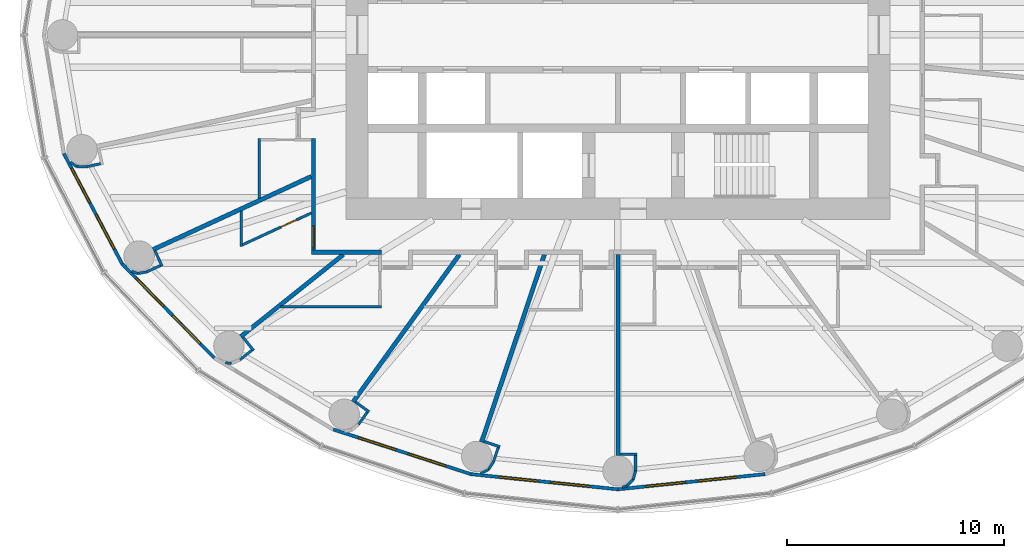
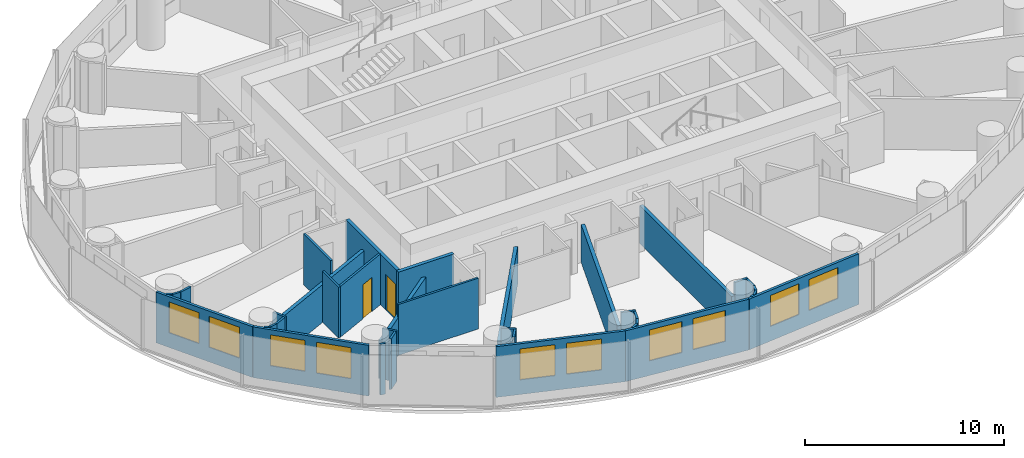
# One storey, part 6 of 14: 37 walls, 10 windows, 2 doors, 12 openings.
"""IFC4 building model written with IfcOpenShell, lengths in metres."""

import ifcopenshell
import ifcopenshell.guid

model = None  # the IFC model being written
_history = None  # IfcOwnerHistory: only IFC2X3 demands one
_inside = {}  # id of a spatial element -> (the spatial element, [elements in it])
_under = {}  # id of a project, library or spatial element -> (it, [spatial elements below it])
_declared = {}  # id of a project -> (the project, [libraries it declares])
_typed = {}  # id of a type object -> (the type object, [elements of that type])
_made_of = {}  # id of a material, layer set ... -> (it, [elements and type objects made of it])


def new_model(schema):
    """Start an empty IFC model of exactly this schema.

    Asked for "IFC4X3", IfcOpenShell would pick the latest addendum, in which some entities
    have other attributes; the version numbers below select the first issue.
    IFC2X3 requires an IfcOwnerHistory on every rooted entity: one is made here for all.
    """
    global model, _history
    if schema == "IFC4X3":
        model = ifcopenshell.file(schema_version=(4, 3, 0, 0))
    else:
        model = ifcopenshell.file(schema=schema)
    _inside.clear()
    _under.clear()
    _declared.clear()
    _typed.clear()
    _made_of.clear()
    _history = None
    if model.schema == "IFC2X3":
        org = make("IfcOrganization", Name="unknown")
        user = make(
            "IfcPersonAndOrganization",
            ThePerson=make("IfcPerson", FamilyName="unknown"),
            TheOrganization=org,
        )
        app = make(
            "IfcApplication",
            ApplicationDeveloper=org,
            Version="unknown",
            ApplicationFullName="unknown",
            ApplicationIdentifier="unknown",
        )
        _history = make(
            "IfcOwnerHistory",
            OwningUser=user,
            OwningApplication=app,
            ChangeAction="ADDED",
            CreationDate=0,
        )
    return model


def make(cls, **values):
    """One entity of the class cls with the attributes given. An attribute that is None is left unset."""
    return model.create_entity(
        cls, **{name: value for name, value in values.items() if value is not None}
    )


def rooted(cls, **values):
    """An entity with a GlobalId (a new one), such as an element, a storey or a relation."""
    return make(cls, GlobalId=ifcopenshell.guid.new(), OwnerHistory=_history, **values)


def si_unit(unit_type, name, prefix=None):
    """IfcSIUnit, for example si_unit("LENGTHUNIT", "METRE", prefix="MILLI")."""
    return make("IfcSIUnit", UnitType=unit_type, Prefix=prefix, Name=name)


def assignment(units):
    """IfcUnitAssignment: the units of a project."""
    return None if units is None else make("IfcUnitAssignment", Units=units)


def point(xyz):
    """IfcCartesianPoint."""
    return None if xyz is None else make("IfcCartesianPoint", Coordinates=xyz)


def direction(xyz):
    """IfcDirection."""
    return None if xyz is None else make("IfcDirection", DirectionRatios=xyz)


def frame(location, z_axis=None, x_axis=None):
    """IfcAxis2Placement3D, a coordinate frame: its origin and axes. An axis left out is left unset."""
    return make(
        "IfcAxis2Placement3D",
        Location=point(location),
        Axis=direction(z_axis),
        RefDirection=direction(x_axis),
    )


def frame_2d(location, x_axis=None):
    """IfcAxis2Placement2D, a coordinate frame in the plane: its origin and x axis."""
    return make(
        "IfcAxis2Placement2D", Location=point(location), RefDirection=direction(x_axis)
    )


def origin():
    """The frame at (0, 0, 0) with its axes left unset."""
    return frame((0.0, 0.0, 0.0))


def place(relative_to, where):
    """IfcLocalPlacement: puts the frame where relative to a parent placement (None: the world)."""
    return make(
        "IfcLocalPlacement", PlacementRelTo=relative_to, RelativePlacement=where
    )


def context(
    kind, dimensions, precision=None, world=None, true_north=None, identifier=None
):
    """IfcGeometricRepresentationContext, for example the 3D "Model" context."""
    return make(
        "IfcGeometricRepresentationContext",
        ContextIdentifier=identifier,
        ContextType=kind,
        CoordinateSpaceDimension=dimensions,
        Precision=precision,
        WorldCoordinateSystem=world,
        TrueNorth=true_north,
    )


def subcontext(parent, identifier, kind, view, scale=None):
    """IfcGeometricRepresentationSubContext, for example "Body" below "Model"."""
    return make(
        "IfcGeometricRepresentationSubContext",
        ContextIdentifier=identifier,
        ContextType=kind,
        ParentContext=parent,
        TargetScale=scale,
        TargetView=view,
    )


def project(units=None, contexts=None):
    """IfcProject with its units and contexts."""
    return rooted(
        "IfcProject",
        Name="project",
        RepresentationContexts=contexts,
        UnitsInContext=assignment(units),
    )


def spatial(cls, under=None, at=None, **own):
    """A site, building, storey or space (cls), placed at a placement, below another one or the project."""
    s = rooted(cls, ObjectPlacement=at, **own)
    if under is not None:
        _under.setdefault(under.id(), (under, []))[1].append(s)
    return s


def profile(cls, at=None, kind="AREA", **sizes):
    """A parametric profile (cls). Its sizes go by their IFC names, for example OverallWidth=200.0."""
    return make(cls, ProfileType=kind, Position=at, **sizes)


def rectangle(**sizes):
    """IfcRectangleProfileDef."""
    return profile("IfcRectangleProfileDef", **sizes)


def extrude(swept, where, along, depth):
    """IfcExtrudedAreaSolid: the profile swept, set in the frame where, extruded along a direction by depth."""
    return make(
        "IfcExtrudedAreaSolid",
        SweptArea=swept,
        Position=where,
        ExtrudedDirection=direction(along),
        Depth=depth,
    )


def shape(context_of_items, identifier, shape_type, items):
    """IfcShapeRepresentation: the items that make up one representation, for example the "Body"."""
    return make(
        "IfcShapeRepresentation",
        ContextOfItems=context_of_items,
        RepresentationIdentifier=identifier,
        RepresentationType=shape_type,
        Items=items,
    )


def material(Name=None, Category=None):
    """IfcMaterial."""
    return make("IfcMaterial", Name=Name, Category=Category)


def layer(
    of_material, thickness, ventilated=None, Name=None, Category=None, Priority=None
):
    """IfcMaterialLayer: one layer of a wall or slab, of a material (None: an air gap)."""
    return make(
        "IfcMaterialLayer",
        Material=of_material,
        LayerThickness=thickness,
        IsVentilated=ventilated,
        Name=Name,
        Category=Category,
        Priority=Priority,
    )


def layer_set(layers, Name=None):
    """IfcMaterialLayerSet."""
    return make("IfcMaterialLayerSet", MaterialLayers=layers, LayerSetName=Name)


def made_of(thing, what):
    """Note that an element or type object is made of a material, layer set ...; save() writes the relation."""
    if what is not None:
        _made_of.setdefault(what.id(), (what, []))[1].append(thing)
    return thing


def type_object(cls, material=None, **own):
    """A type object (cls), such as IfcWallType, which elements share."""
    return made_of(rooted(cls, **own), material)


def element(
    cls,
    number,
    at=None,
    inside=None,
    cuts=None,
    type_object=None,
    material=None,
    context=None,
    identifier="Body",
    shape_type=None,
    held_by="IfcProductDefinitionShape",
    body=None,
    shapes=None,
    **own,
):
    """One element of the class cls, such as IfcWall. Its Tag is "e" and its number.

    at: its placement. inside: the storey or other place that contains it. cuts: it is an
    opening in that element (IfcRelVoidsElement). A single representation is given by context,
    identifier, shape_type and body (its items); several are given by shapes. held_by: the class
    of the entity that holds the representations. save() writes the other relations.
    """
    e = rooted(cls, Tag="e%d" % number, ObjectPlacement=at, **own)
    if body is not None:
        shapes = [shape(context, identifier, shape_type, body)]
    if shapes is not None:
        e.Representation = make(held_by, Representations=shapes)
    if inside is not None:
        _inside.setdefault(inside.id(), (inside, []))[1].append(e)
    if cuts is not None:
        rooted(
            "IfcRelVoidsElement", RelatingBuildingElement=cuts, RelatedOpeningElement=e
        )
    if type_object is not None:
        _typed.setdefault(type_object.id(), (type_object, []))[1].append(e)
    return made_of(e, material)


def fill(opening, filler):
    """IfcRelFillsElement: the door or window that sits in an opening."""
    return rooted(
        "IfcRelFillsElement",
        RelatingOpeningElement=opening,
        RelatedBuildingElement=filler,
    )


def aggregate(whole, parts):
    """IfcRelAggregates: a whole, such as a stair, and the parts it consists of."""
    return rooted("IfcRelAggregates", RelatingObject=whole, RelatedObjects=parts)


def save(model, path):
    """Write the relations noted so far, then the file.

    IfcRelAggregates (storeys below a building ...), IfcRelContainedInSpatialStructure (elements
    in a storey), IfcRelDefinesByType, IfcRelAssociatesMaterial and IfcRelDeclares: one each for
    every whole, place, type object, material and project.
    """
    for whole, parts in _under.values():
        aggregate(whole, parts)
    for where, things in _inside.values():
        rooted(
            "IfcRelContainedInSpatialStructure",
            RelatedElements=things,
            RelatingStructure=where,
        )
    for kind, things in _typed.values():
        rooted("IfcRelDefinesByType", RelatedObjects=things, RelatingType=kind)
    for what, things in _made_of.values():
        rooted("IfcRelAssociatesMaterial", RelatedObjects=things, RelatingMaterial=what)
    for by, libraries in _declared.values():
        rooted("IfcRelDeclares", RelatingContext=by, RelatedDefinitions=libraries)
    model.write(path)


model = new_model("IFC4")

# Units and contexts
model_context = context("Model", 3, precision=1e-05, world=origin(), true_north=direction((0.0, 1.0)))
body_context = subcontext(model_context, "Body", "Model", "MODEL_VIEW")
ifc_project = project(units=[si_unit("LENGTHUNIT", "METRE"), si_unit("AREAUNIT", "SQUARE_METRE"), si_unit("VOLUMEUNIT", "CUBIC_METRE"), si_unit("PLANEANGLEUNIT", "RADIAN"), si_unit("MASSUNIT", "GRAM", prefix="KILO")], contexts=[model_context])

# Site, building, storey
site_placement = place(None, origin())
site = spatial("IfcSite", under=ifc_project, at=site_placement, CompositionType="ELEMENT")
building_placement = place(site_placement, origin())
building = spatial("IfcBuilding", under=site, at=building_placement, Name="Hankou Lantern Tower", CompositionType="ELEMENT")
storey_placement = place(building_placement, frame((0.0, 0.0, 57.300048828125)))
storey = spatial("IfcBuildingStorey", under=building, at=storey_placement, Name="L13", CompositionType="ELEMENT", Elevation=57.300048828125)

# Wall, openings, windows
ifc_material_1 = material(Name="Aluminium spandrel panel on steel studs", Category="steel")
ifc_layer_1 = layer(ifc_material_1, 0.14990234375)
ifc_layer_set_1 = layer_set([ifc_layer_1], Name="Aluminium spandrel panel on steel studs")
wall_type_1 = type_object("IfcWallType", Name="EW1 INNER SKIN WALL 150", PredefinedType="ELEMENTEDWALL", material=ifc_layer_set_1)
wall_1_placement = place(storey_placement, frame((-25.482421875, -5.46240234375, 0.0), z_axis=(0.0, 0.0, 1.0), x_axis=(0.467296867008, -0.884100468321, 0.0)))
wall_1 = element("IfcWall", 1, at=wall_1_placement, inside=storey, type_object=wall_type_1, Name="Inner skin R14-R15 L13", PredefinedType="ELEMENTEDWALL", context=body_context, shape_type="SweptSolid", body=[
    extrude(rectangle(XDim=5.734375, YDim=0.14990234375, at=frame_2d((2.8671875, 0.0))), origin(), (0.0, 0.0, 1.0), 3.119873046875),
])
opening_1_placement = place(wall_1_placement, frame((0.76708984375, 0.0, 0.89990234375)))
opening_1 = element("IfcOpeningElement", 2, at=opening_1_placement, cuts=wall_1, Name="Opening W1", PredefinedType="OPENING", context=body_context, shape_type="SweptSolid", body=[
    extrude(rectangle(XDim=1.800048828125, YDim=1.89990234375, at=frame_2d((0.89990234375, 0.949951171875))), frame((0.0, 0.0849609375, 0.0), z_axis=(0.0, -1.0, 0.0), x_axis=(1.0, 0.0, 0.0)), (0.0, 0.0, 1.0), 0.169921875),
])
opening_2_placement = place(wall_1_placement, frame((3.167236328125, 0.0, 0.89990234375)))
opening_2 = element("IfcOpeningElement", 3, at=opening_2_placement, cuts=wall_1, Name="Opening W1", PredefinedType="OPENING", context=body_context, shape_type="SweptSolid", body=[
    extrude(rectangle(XDim=1.800048828125, YDim=1.89990234375, at=frame_2d((0.89990234375, 0.949951171875))), frame((0.0, 0.0849609375, 0.0), z_axis=(0.0, -1.0, 0.0), x_axis=(1.0, 0.0, 0.0)), (0.0, 0.0, 1.0), 0.169921875),
])
ifc_material_2 = material(Name="Aluminium framed double glazed window", Category="aluminium")
window_type = type_object("IfcWindowType", Name="W1 GUEST ROOM WINDOW 1800X1900", PartitioningType="DOUBLE_PANEL_VERTICAL", PredefinedType="WINDOW", material=ifc_material_2)
window_1_placement = place(opening_1_placement, origin())
window_1 = element("IfcWindow", 4, at=window_1_placement, inside=storey, type_object=window_type, Name="Window R14.1 L13", OverallHeight=1.89990234375, OverallWidth=1.800048828125, PartitioningType="SINGLE_PANEL", PredefinedType="WINDOW", context=body_context, shape_type="SweptSolid", body=[
    extrude(rectangle(XDim=1.800048828125, YDim=1.89990234375, at=frame_2d((0.89990234375, 0.949951171875))), frame((0.0, 0.030029296875, 0.0), z_axis=(0.0, -1.0, 0.0), x_axis=(1.0, 0.0, 0.0)), (0.0, 0.0, 1.0), 0.06005859375),
])
fill(opening_1, window_1)
window_2_placement = place(opening_2_placement, origin())
window_2 = element("IfcWindow", 5, at=window_2_placement, inside=storey, type_object=window_type, Name="Window R14.2 L13", OverallHeight=1.89990234375, OverallWidth=1.800048828125, PartitioningType="SINGLE_PANEL", PredefinedType="WINDOW", context=body_context, shape_type="SweptSolid", body=[
    extrude(rectangle(XDim=1.800048828125, YDim=1.89990234375, at=frame_2d((0.89990234375, 0.949951171875))), frame((0.0, 0.030029296875, 0.0), z_axis=(0.0, -1.0, 0.0), x_axis=(1.0, 0.0, 0.0)), (0.0, 0.0, 1.0), 0.06005859375),
])
fill(opening_2, window_2)

wall_2_placement = place(storey_placement, frame((-22.802734375, -10.5322265625, 0.0), z_axis=(0.0, 0.0, 1.0), x_axis=(0.699602905915, -0.714531856557, 0.0)))
wall_2 = element("IfcWall", 6, at=wall_2_placement, inside=storey, type_object=wall_type_1, Name="Inner skin R15-R16 L13", PredefinedType="ELEMENTEDWALL", context=body_context, shape_type="SweptSolid", body=[
    extrude(rectangle(XDim=6.05078125, YDim=0.14990234375, at=frame_2d((3.025390625, 0.0))), origin(), (0.0, 0.0, 1.0), 3.119873046875),
])
opening_3_placement = place(wall_2_placement, frame((0.925537109375, 0.0, 0.89990234375)))
opening_3 = element("IfcOpeningElement", 7, at=opening_3_placement, cuts=wall_2, Name="Opening W1", PredefinedType="OPENING", context=body_context, shape_type="SweptSolid", body=[
    extrude(rectangle(XDim=1.800048828125, YDim=1.89990234375, at=frame_2d((0.89990234375, 0.949951171875))), frame((0.0, 0.0849609375, 0.0), z_axis=(0.0, -1.0, 0.0), x_axis=(1.0, 0.0, 0.0)), (0.0, 0.0, 1.0), 0.169921875),
])
opening_4_placement = place(wall_2_placement, frame((3.325439453125, 0.0, 0.89990234375)))
opening_4 = element("IfcOpeningElement", 8, at=opening_4_placement, cuts=wall_2, Name="Opening W1", PredefinedType="OPENING", context=body_context, shape_type="SweptSolid", body=[
    extrude(rectangle(XDim=1.800048828125, YDim=1.89990234375, at=frame_2d((0.89990234375, 0.949951171875))), frame((0.0, 0.0849609375, 0.0), z_axis=(0.0, -1.0, 0.0), x_axis=(1.0, 0.0, 0.0)), (0.0, 0.0, 1.0), 0.169921875),
])
window_3_placement = place(opening_3_placement, origin())
window_3 = element("IfcWindow", 9, at=window_3_placement, inside=storey, type_object=window_type, Name="Window R15.1 L13", OverallHeight=1.89990234375, OverallWidth=1.800048828125, PartitioningType="SINGLE_PANEL", PredefinedType="WINDOW", context=body_context, shape_type="SweptSolid", body=[
    extrude(rectangle(XDim=1.800048828125, YDim=1.89990234375, at=frame_2d((0.89990234375, 0.949951171875))), frame((0.0, 0.030029296875, 0.0), z_axis=(0.0, -1.0, 0.0), x_axis=(1.0, 0.0, 0.0)), (0.0, 0.0, 1.0), 0.06005859375),
])
fill(opening_3, window_3)
window_4_placement = place(opening_4_placement, origin())
window_4 = element("IfcWindow", 10, at=window_4_placement, inside=storey, type_object=window_type, Name="Window R15.2 L13", OverallHeight=1.89990234375, OverallWidth=1.800048828125, PartitioningType="SINGLE_PANEL", PredefinedType="WINDOW", context=body_context, shape_type="SweptSolid", body=[
    extrude(rectangle(XDim=1.800048828125, YDim=1.89990234375, at=frame_2d((0.89990234375, 0.949951171875))), frame((0.0, 0.030029296875, 0.0), z_axis=(0.0, -1.0, 0.0), x_axis=(1.0, 0.0, 0.0)), (0.0, 0.0, 1.0), 0.06005859375),
])
fill(opening_4, window_4)

wall_3_placement = place(storey_placement, frame((-13.096435546875, -18.14697265625, 0.0), z_axis=(0.0, 0.0, 1.0), x_axis=(0.951137534625, -0.308767534285, 0.0)))
wall_3 = element("IfcWall", 11, at=wall_3_placement, inside=storey, type_object=wall_type_1, Name="Inner skin R17-R18 L13", PredefinedType="ELEMENTEDWALL", context=body_context, shape_type="SweptSolid", body=[
    extrude(rectangle(XDim=6.6552734375, YDim=0.14990234375, at=frame_2d((3.32763671875, 0.0))), origin(), (0.0, 0.0, 1.0), 3.119873046875),
])
opening_5_placement = place(wall_3_placement, frame((1.2275390625, 0.0, 0.89990234375)))
opening_5 = element("IfcOpeningElement", 12, at=opening_5_placement, cuts=wall_3, Name="Opening W1", PredefinedType="OPENING", context=body_context, shape_type="SweptSolid", body=[
    extrude(rectangle(XDim=1.800048828125, YDim=1.89990234375, at=frame_2d((0.89990234375, 0.949951171875))), frame((0.0, 0.0849609375, 0.0), z_axis=(0.0, -1.0, 0.0), x_axis=(1.0, 0.0, 0.0)), (0.0, 0.0, 1.0), 0.169921875),
])
opening_6_placement = place(wall_3_placement, frame((3.627685546875, 0.0, 0.89990234375)))
opening_6 = element("IfcOpeningElement", 13, at=opening_6_placement, cuts=wall_3, Name="Opening W1", PredefinedType="OPENING", context=body_context, shape_type="SweptSolid", body=[
    extrude(rectangle(XDim=1.800048828125, YDim=1.89990234375, at=frame_2d((0.89990234375, 0.949951171875))), frame((0.0, 0.0849609375, 0.0), z_axis=(0.0, -1.0, 0.0), x_axis=(1.0, 0.0, 0.0)), (0.0, 0.0, 1.0), 0.169921875),
])
window_5_placement = place(opening_5_placement, origin())
window_5 = element("IfcWindow", 14, at=window_5_placement, inside=storey, type_object=window_type, Name="Window R17.1 L13", OverallHeight=1.89990234375, OverallWidth=1.800048828125, PartitioningType="SINGLE_PANEL", PredefinedType="WINDOW", context=body_context, shape_type="SweptSolid", body=[
    extrude(rectangle(XDim=1.800048828125, YDim=1.89990234375, at=frame_2d((0.89990234375, 0.949951171875))), frame((0.0, 0.030029296875, 0.0), z_axis=(0.0, -1.0, 0.0), x_axis=(1.0, 0.0, 0.0)), (0.0, 0.0, 1.0), 0.06005859375),
])
fill(opening_5, window_5)
window_6_placement = place(opening_6_placement, origin())
window_6 = element("IfcWindow", 15, at=window_6_placement, inside=storey, type_object=window_type, Name="Window R17.2 L13", OverallHeight=1.89990234375, OverallWidth=1.800048828125, PartitioningType="SINGLE_PANEL", PredefinedType="WINDOW", context=body_context, shape_type="SweptSolid", body=[
    extrude(rectangle(XDim=1.800048828125, YDim=1.89990234375, at=frame_2d((0.89990234375, 0.949951171875))), frame((0.0, 0.030029296875, 0.0), z_axis=(0.0, -1.0, 0.0), x_axis=(1.0, 0.0, 0.0)), (0.0, 0.0, 1.0), 0.06005859375),
])
fill(opening_6, window_6)

wall_4_placement = place(storey_placement, frame((-6.766357421875, -20.201904296875, 0.0), z_axis=(0.0, 0.0, 1.0), x_axis=(0.994721394369, -0.102612609291, 0.0)))
wall_4 = element("IfcWall", 16, at=wall_4_placement, inside=storey, type_object=wall_type_1, Name="Inner skin R18-R19 L13", PredefinedType="ELEMENTEDWALL", context=body_context, shape_type="SweptSolid", body=[
    extrude(rectangle(XDim=6.80224609375, YDim=0.14990234375, at=frame_2d((3.401123046875, 0.0))), origin(), (0.0, 0.0, 1.0), 3.119873046875),
])
opening_7_placement = place(wall_4_placement, frame((1.301025390625, 0.0, 0.89990234375)))
opening_7 = element("IfcOpeningElement", 17, at=opening_7_placement, cuts=wall_4, Name="Opening W1", PredefinedType="OPENING", context=body_context, shape_type="SweptSolid", body=[
    extrude(rectangle(XDim=1.800048828125, YDim=1.89990234375, at=frame_2d((0.89990234375, 0.949951171875))), frame((0.0, 0.0849609375, 0.0), z_axis=(0.0, -1.0, 0.0), x_axis=(1.0, 0.0, 0.0)), (0.0, 0.0, 1.0), 0.169921875),
])
opening_8_placement = place(wall_4_placement, frame((3.701171875, 0.0, 0.89990234375)))
opening_8 = element("IfcOpeningElement", 18, at=opening_8_placement, cuts=wall_4, Name="Opening W1", PredefinedType="OPENING", context=body_context, shape_type="SweptSolid", body=[
    extrude(rectangle(XDim=1.800048828125, YDim=1.89990234375, at=frame_2d((0.89990234375, 0.949951171875))), frame((0.0, 0.0849609375, 0.0), z_axis=(0.0, -1.0, 0.0), x_axis=(1.0, 0.0, 0.0)), (0.0, 0.0, 1.0), 0.169921875),
])
window_7_placement = place(opening_7_placement, origin())
window_7 = element("IfcWindow", 19, at=window_7_placement, inside=storey, type_object=window_type, Name="Window R18.1 L13", OverallHeight=1.89990234375, OverallWidth=1.800048828125, PartitioningType="SINGLE_PANEL", PredefinedType="WINDOW", context=body_context, shape_type="SweptSolid", body=[
    extrude(rectangle(XDim=1.800048828125, YDim=1.89990234375, at=frame_2d((0.89990234375, 0.949951171875))), frame((0.0, 0.030029296875, 0.0), z_axis=(0.0, -1.0, 0.0), x_axis=(1.0, 0.0, 0.0)), (0.0, 0.0, 1.0), 0.06005859375),
])
fill(opening_7, window_7)
window_8_placement = place(opening_8_placement, origin())
window_8 = element("IfcWindow", 20, at=window_8_placement, inside=storey, type_object=window_type, Name="Window R18.2 L13", OverallHeight=1.89990234375, OverallWidth=1.800048828125, PartitioningType="SINGLE_PANEL", PredefinedType="WINDOW", context=body_context, shape_type="SweptSolid", body=[
    extrude(rectangle(XDim=1.800048828125, YDim=1.89990234375, at=frame_2d((0.89990234375, 0.949951171875))), frame((0.0, 0.030029296875, 0.0), z_axis=(0.0, -1.0, 0.0), x_axis=(1.0, 0.0, 0.0)), (0.0, 0.0, 1.0), 0.06005859375),
])
fill(opening_8, window_8)

wall_5_placement = place(storey_placement, frame((0.0, -20.89990234375, 0.0), z_axis=(0.0, 0.0, 1.0), x_axis=(0.994721394369, 0.102612609291, 0.0)))
wall_5 = element("IfcWall", 21, at=wall_5_placement, inside=storey, type_object=wall_type_1, Name="Inner skin R19-R20 L13", PredefinedType="ELEMENTEDWALL", context=body_context, shape_type="SweptSolid", body=[
    extrude(rectangle(XDim=6.80224609375, YDim=0.14990234375, at=frame_2d((3.401123046875, 0.0))), origin(), (0.0, 0.0, 1.0), 3.119873046875),
])
opening_9_placement = place(wall_5_placement, frame((1.301025390625, 0.0, 0.89990234375)))
opening_9 = element("IfcOpeningElement", 22, at=opening_9_placement, cuts=wall_5, Name="Opening W1", PredefinedType="OPENING", context=body_context, shape_type="SweptSolid", body=[
    extrude(rectangle(XDim=1.800048828125, YDim=1.89990234375, at=frame_2d((0.89990234375, 0.949951171875))), frame((0.0, 0.0849609375, 0.0), z_axis=(0.0, -1.0, 0.0), x_axis=(1.0, 0.0, 0.0)), (0.0, 0.0, 1.0), 0.169921875),
])
opening_10_placement = place(wall_5_placement, frame((3.701171875, 0.0, 0.89990234375)))
opening_10 = element("IfcOpeningElement", 23, at=opening_10_placement, cuts=wall_5, Name="Opening W1", PredefinedType="OPENING", context=body_context, shape_type="SweptSolid", body=[
    extrude(rectangle(XDim=1.800048828125, YDim=1.89990234375, at=frame_2d((0.89990234375, 0.949951171875))), frame((0.0, 0.0849609375, 0.0), z_axis=(0.0, -1.0, 0.0), x_axis=(1.0, 0.0, 0.0)), (0.0, 0.0, 1.0), 0.169921875),
])
window_9_placement = place(opening_9_placement, origin())
window_9 = element("IfcWindow", 24, at=window_9_placement, inside=storey, type_object=window_type, Name="Window R19.1 L13", OverallHeight=1.89990234375, OverallWidth=1.800048828125, PartitioningType="SINGLE_PANEL", PredefinedType="WINDOW", context=body_context, shape_type="SweptSolid", body=[
    extrude(rectangle(XDim=1.800048828125, YDim=1.89990234375, at=frame_2d((0.89990234375, 0.949951171875))), frame((0.0, 0.030029296875, 0.0), z_axis=(0.0, -1.0, 0.0), x_axis=(1.0, 0.0, 0.0)), (0.0, 0.0, 1.0), 0.06005859375),
])
fill(opening_9, window_9)
window_10_placement = place(opening_10_placement, origin())
window_10 = element("IfcWindow", 25, at=window_10_placement, inside=storey, type_object=window_type, Name="Window R19.2 L13", OverallHeight=1.89990234375, OverallWidth=1.800048828125, PartitioningType="SINGLE_PANEL", PredefinedType="WINDOW", context=body_context, shape_type="SweptSolid", body=[
    extrude(rectangle(XDim=1.800048828125, YDim=1.89990234375, at=frame_2d((0.89990234375, 0.949951171875))), frame((0.0, 0.030029296875, 0.0), z_axis=(0.0, -1.0, 0.0), x_axis=(1.0, 0.0, 0.0)), (0.0, 0.0, 1.0), 0.06005859375),
])
fill(opening_10, window_10)

# Walls
ifc_material_3 = material(Name="Masonry lightweight concrete block", Category="masonry")
ifc_layer_2 = layer(ifc_material_3, 0.199951171875)
ifc_layer_set_2 = layer_set([ifc_layer_2], Name="Masonry lightweight concrete block")
wall_type_2 = type_object("IfcWallType", Name="IW1 GUEST ROOM PARTY WALL 200", PredefinedType="PARTITIONING", material=ifc_layer_set_2)
wall_6_placement = place(storey_placement, frame((-14.10009765625, -6.512451171875, 0.0), z_axis=(0.0, 0.0, 1.0), x_axis=(-0.907832871056, -0.419332181247, 0.0)))
element("IfcWall", 26, at=wall_6_placement, inside=storey, type_object=wall_type_2, Name="Party wall R15", PredefinedType="PARTITIONING", context=body_context, shape_type="SweptSolid", body=[
    extrude(rectangle(XDim=8.02294921875, YDim=0.199951171875, at=frame_2d((4.011474609375, 0.0))), origin(), (0.0, 0.0, 1.0), 2.320068359375),
])
wall_7_placement = place(storey_placement, frame((-12.625, -10.10009765625, 0.0), z_axis=(0.0, 0.0, 1.0), x_axis=(-0.780892451574, -0.624665493744, 0.0)))
element("IfcWall", 27, at=wall_7_placement, inside=storey, type_object=wall_type_2, Name="Party wall R16", PredefinedType="PARTITIONING", context=body_context, shape_type="SweptSolid", body=[
    extrude(rectangle(XDim=6.044677734375, YDim=0.199951171875, at=frame_2d((3.0224609375, 0.0))), origin(), (0.0, 0.0, 1.0), 2.320068359375),
])
wall_8_placement = place(storey_placement, frame((-7.2890625, -10.10009765625, 0.0), z_axis=(0.0, 0.0, 1.0), x_axis=(-0.585198353053, -0.810890182197, 0.0)))
element("IfcWall", 28, at=wall_8_placement, inside=storey, type_object=wall_type_2, Name="Party wall R17", PredefinedType="PARTITIONING", context=body_context, shape_type="SweptSolid", body=[
    extrude(rectangle(XDim=8.359619140625, YDim=0.199951171875, at=frame_2d((4.1796875, 0.0))), origin(), (0.0, 0.0, 1.0), 2.320068359375),
])
wall_9_placement = place(storey_placement, frame((-3.3828125, -10.10009765625, 0.0), z_axis=(0.0, 0.0, 1.0), x_axis=(-0.31759592231, -0.948226149256, 0.0)))
element("IfcWall", 29, at=wall_9_placement, inside=storey, type_object=wall_type_2, Name="Party wall R18", PredefinedType="PARTITIONING", context=body_context, shape_type="SweptSolid", body=[
    extrude(rectangle(XDim=9.098388671875, YDim=0.199951171875, at=frame_2d((4.54931640625, 0.0))), origin(), (0.0, 0.0, 1.0), 2.320068359375),
])
wall_10_placement = place(storey_placement, frame((0.0, -10.10009765625, 0.0), z_axis=(0.0, 0.0, 1.0), x_axis=(0.0, -1.0, 0.0)))
element("IfcWall", 30, at=wall_10_placement, inside=storey, type_object=wall_type_2, Name="Party wall R19", PredefinedType="PARTITIONING", context=body_context, shape_type="SweptSolid", body=[
    extrude(rectangle(XDim=9.25, YDim=0.199951171875, at=frame_2d((4.625, 0.0))), origin(), (0.0, 0.0, 1.0), 2.320068359375),
])

# Wall, opening, door
ifc_material_4 = material(Name="Masonry lightweight concrete block", Category="masonry")
ifc_layer_3 = layer(ifc_material_4, 0.199951171875)
ifc_layer_set_3 = layer_set([ifc_layer_3], Name="Masonry lightweight concrete block")
wall_type_3 = type_object("IfcWallType", Name="IW2 CORRIDOR WALL 200", PredefinedType="PARTITIONING", material=ifc_layer_set_3)
wall_11_placement = place(storey_placement, frame((-14.0, -4.7724609375, 0.0), z_axis=(0.0, 0.0, 1.0), x_axis=(0.0, -1.0, 0.0)))
wall_11 = element("IfcWall", 31, at=wall_11_placement, inside=storey, type_object=wall_type_3, Name="Corridor wall west", PredefinedType="PARTITIONING", context=body_context, shape_type="SweptSolid", body=[
    extrude(rectangle(XDim=5.12744140625, YDim=0.199951171875, at=frame_2d((2.563720703125, 0.0))), origin(), (0.0, 0.0, 1.0), 3.119873046875),
])
opening_11_placement = place(wall_11_placement, frame((4.02490234375, 0.0, 0.0)))
opening_11 = element("IfcOpeningElement", 32, at=opening_11_placement, cuts=wall_11, Name="Opening D1", PredefinedType="OPENING", context=body_context, shape_type="SweptSolid", body=[
    extrude(rectangle(XDim=1.0, YDim=2.199951171875, at=frame_2d((0.5, 1.10009765625))), frame((0.0, 0.10986328125, 0.0), z_axis=(0.0, -1.0, 0.0), x_axis=(1.0, 0.0, 0.0)), (0.0, 0.0, 1.0), 0.219970703125),
])
ifc_material_5 = material(Name="Steel door leaf", Category="steel")
door_type_1 = type_object("IfcDoorType", Name="D1 GUEST ROOM DOOR 1000X2200", OperationType="SINGLE_SWING_LEFT", PredefinedType="DOOR", material=ifc_material_5)
door_1_placement = place(opening_11_placement, origin())
door_1 = element("IfcDoor", 33, at=door_1_placement, inside=storey, type_object=door_type_1, Name="Guest room door 1311", OperationType="SINGLE_SWING_RIGHT", OverallHeight=2.199951171875, OverallWidth=1.0, PredefinedType="DOOR", context=body_context, shape_type="SweptSolid", body=[
    extrude(rectangle(XDim=1.0, YDim=2.199951171875, at=frame_2d((0.5, 1.10009765625))), frame((0.0, 0.02490234375, 0.0), z_axis=(0.0, -1.0, 0.0), x_axis=(1.0, 0.0, 0.0)), (0.0, 0.0, 1.0), 0.050048828125),
])
fill(opening_11, door_1)

# Walls
wall_12_placement = place(storey_placement, frame((-10.885009765625, -10.0, 0.0), z_axis=(0.0, 0.0, 1.0), x_axis=(-1.0, 0.0, 0.0)))
element("IfcWall", 34, at=wall_12_placement, inside=storey, type_object=wall_type_3, Name="Corridor wall south", PredefinedType="PARTITIONING", context=body_context, shape_type="SweptSolid", body=[
    extrude(rectangle(XDim=3.215087890625, YDim=0.199951171875, at=frame_2d((1.607421875, 0.0))), origin(), (0.0, 0.0, 1.0), 3.119873046875),
])
ifc_material_6 = material(Name="Masonry lightweight concrete block", Category="masonry")
ifc_layer_4 = layer(ifc_material_6, 0.1201171875)
ifc_layer_set_4 = layer_set([ifc_layer_4], Name="Masonry lightweight concrete block")
wall_type_4 = type_object("IfcWallType", Name="IW3 BATHROOM WALL 120", PredefinedType="PARTITIONING", material=ifc_layer_set_4)
wall_13_placement = place(storey_placement, frame((-16.5, -7.52099609375, 0.0), z_axis=(0.0, 0.0, 1.0), x_axis=(0.0, 1.0, 0.0)))
element("IfcWall", 35, at=wall_13_placement, inside=storey, type_object=wall_type_4, Name="Box wall 1310 1", PredefinedType="PARTITIONING", context=body_context, shape_type="SweptSolid", body=[
    extrude(rectangle(XDim=2.74853515625, YDim=0.1201171875, at=frame_2d((1.374267578125, 0.0))), origin(), (0.0, 0.0, 1.0), 3.119873046875),
])
wall_14_placement = place(storey_placement, frame((-17.32275390625, -8.10107421875, 0.0), z_axis=(0.0, 0.0, 1.0), x_axis=(0.0, -1.0, 0.0)))
element("IfcWall", 36, at=wall_14_placement, inside=storey, type_object=wall_type_4, Name="Box wall 1311 1", PredefinedType="PARTITIONING", context=body_context, shape_type="SweptSolid", body=[
    extrude(rectangle(XDim=1.639892578125, YDim=0.1201171875, at=frame_2d((0.81982421875, 0.0))), origin(), (0.0, 0.0, 1.0), 3.119873046875),
])

# Wall, opening, door
wall_15_placement = place(storey_placement, frame((-14.10009765625, -8.192626953125, 0.0), z_axis=(0.0, 0.0, 1.0), x_axis=(-0.907836493557, -0.419324338628, 0.0)))
wall_15 = element("IfcWall", 37, at=wall_15_placement, inside=storey, type_object=wall_type_4, Name="Box wall 1311 1", PredefinedType="PARTITIONING", context=body_context, shape_type="SweptSolid", body=[
    extrude(rectangle(XDim=3.48974609375, YDim=0.1201171875, at=frame_2d((1.744873046875, 0.0))), origin(), (0.0, 0.0, 1.0), 3.119873046875),
])
opening_12_placement = place(wall_15_placement, frame((0.75, 0.0, 0.0)))
opening_12 = element("IfcOpeningElement", 38, at=opening_12_placement, cuts=wall_15, Name="Opening D3", PredefinedType="OPENING", context=body_context, shape_type="SweptSolid", body=[
    extrude(rectangle(XDim=0.800048828125, YDim=2.10009765625, at=frame_2d((0.39990234375, 1.050048828125))), frame((0.0, 0.070068359375, 0.0), z_axis=(0.0, -1.0, 0.0), x_axis=(1.0, 0.0, 0.0)), (0.0, 0.0, 1.0), 0.14013671875),
])
ifc_material_7 = material(Name="Timber door leaf", Category="wood")
door_type_2 = type_object("IfcDoorType", Name="D3 BATHROOM DOOR 800X2100", OperationType="SINGLE_SWING_LEFT", PredefinedType="DOOR", material=ifc_material_7)
door_2_placement = place(opening_12_placement, origin())
door_2 = element("IfcDoor", 39, at=door_2_placement, inside=storey, type_object=door_type_2, Name="En-suite bathroom 1311 door", OperationType="SINGLE_SWING_LEFT", OverallHeight=2.10009765625, OverallWidth=0.800048828125, PredefinedType="DOOR", context=body_context, shape_type="SweptSolid", body=[
    extrude(rectangle(XDim=0.800048828125, YDim=2.10009765625, at=frame_2d((0.39990234375, 1.050048828125))), frame((0.0, 0.02490234375, 0.0), z_axis=(0.0, -1.0, 0.0), x_axis=(1.0, 0.0, 0.0)), (0.0, 0.0, 1.0), 0.050048828125),
])
fill(opening_12, door_2)

# Walls
wall_16_placement = place(storey_placement, frame((-15.52490234375, -12.5, 0.0), z_axis=(0.0, 0.0, 1.0), x_axis=(1.0, 0.0, 0.0)))
element("IfcWall", 40, at=wall_16_placement, inside=storey, type_object=wall_type_4, Name="Box wall 1312 1", PredefinedType="PARTITIONING", context=body_context, shape_type="SweptSolid", body=[
    extrude(rectangle(XDim=4.639892578125, YDim=0.1201171875, at=frame_2d((2.31982421875, 0.0))), origin(), (0.0, 0.0, 1.0), 3.119873046875),
])
ifc_material_8 = material(Name="Masonry lightweight concrete block", Category="masonry")
ifc_layer_5 = layer(ifc_material_8, 0.1201171875)
ifc_layer_set_5 = layer_set([ifc_layer_5], Name="Masonry lightweight concrete block")
wall_type_5 = type_object("IfcWallType", Name="IW4 PARTITION 120", PredefinedType="PARTITIONING", material=ifc_layer_set_5)
wall_17_placement = place(storey_placement, frame((-23.793212890625, -5.92626953125, 0.0), z_axis=(0.0, 0.0, 1.0), x_axis=(-0.977792206673, -0.209576717621, 0.0)))
element("IfcWall", 41, at=wall_17_placement, inside=storey, type_object=wall_type_5, Name="Column casing R14", PredefinedType="PARTITIONING", context=body_context, shape_type="SweptSolid", body=[
    extrude(rectangle(XDim=0.7001953125, YDim=0.1201171875, at=frame_2d((0.35009765625, 0.0))), origin(), (0.0, 0.0, 1.0), 3.119873046875),
])
wall_18_placement = place(storey_placement, frame((-24.477783203125, -6.072998046875, 0.0), z_axis=(0.0, 0.0, 1.0), x_axis=(-0.998708262812, 0.05081147302, 0.0)))
element("IfcWall", 42, at=wall_18_placement, inside=storey, type_object=wall_type_5, Name="Column casing R14", PredefinedType="PARTITIONING", context=body_context, shape_type="SweptSolid", body=[
    extrude(rectangle(XDim=0.41796875, YDim=0.1201171875, at=frame_2d((0.208984375, 0.0))), origin(), (0.0, 0.0, 1.0), 3.119873046875),
])
wall_19_placement = place(storey_placement, frame((-24.895263671875, -6.0517578125, 0.0), z_axis=(0.0, 0.0, 1.0), x_axis=(-0.839495197275, 0.54336710772, 0.0)))
element("IfcWall", 43, at=wall_19_placement, inside=storey, type_object=wall_type_5, Name="Column casing R14", PredefinedType="PARTITIONING", context=body_context, shape_type="SweptSolid", body=[
    extrude(rectangle(XDim=0.349609375, YDim=0.1201171875, at=frame_2d((0.1748046875, 0.0))), origin(), (0.0, 0.0, 1.0), 3.119873046875),
])
wall_20_placement = place(storey_placement, frame((-21.287109375, -9.9423828125, 0.0), z_axis=(0.0, 0.0, 1.0), x_axis=(0.419259891039, -0.907866258744, 0.0)))
element("IfcWall", 44, at=wall_20_placement, inside=storey, type_object=wall_type_5, Name="Column casing R15 return", PredefinedType="PARTITIONING", context=body_context, shape_type="SweptSolid", body=[
    extrude(rectangle(XDim=0.767578125, YDim=0.1201171875, at=frame_2d((0.3837890625, 0.0))), origin(), (0.0, 0.0, 1.0), 3.119873046875),
])
wall_21_placement = place(storey_placement, frame((-21.044921875, -10.60986328125, 0.0), z_axis=(0.0, 0.0, 1.0), x_axis=(-0.907877701396, -0.419235112208, 0.0)))
element("IfcWall", 45, at=wall_21_placement, inside=storey, type_object=wall_type_5, Name="Column casing R15", PredefinedType="PARTITIONING", context=body_context, shape_type="SweptSolid", body=[
    extrude(rectangle(XDim=0.699951171875, YDim=0.1201171875, at=frame_2d((0.35009765625, 0.0))), origin(), (0.0, 0.0, 1.0), 3.119873046875),
])
wall_22_placement = place(storey_placement, frame((-21.680419921875, -10.9033203125, 0.0), z_axis=(0.0, 0.0, 1.0), x_axis=(-0.985446622073, -0.169985161247, 0.0)))
element("IfcWall", 46, at=wall_22_placement, inside=storey, type_object=wall_type_5, Name="Column casing R15", PredefinedType="PARTITIONING", context=body_context, shape_type="SweptSolid", body=[
    extrude(rectangle(XDim=0.41796875, YDim=0.1201171875, at=frame_2d((0.208984375, 0.0))), origin(), (0.0, 0.0, 1.0), 3.119873046875),
])
wall_23_placement = place(storey_placement, frame((-22.09228515625, -10.974365234375, 0.0), z_axis=(0.0, 0.0, 1.0), x_axis=(-0.938428160676, 0.345474437912, 0.0)))
element("IfcWall", 47, at=wall_23_placement, inside=storey, type_object=wall_type_5, Name="Column casing R15", PredefinedType="PARTITIONING", context=body_context, shape_type="SweptSolid", body=[
    extrude(rectangle(XDim=0.2939453125, YDim=0.1201171875, at=frame_2d((0.14697265625, 0.0))), origin(), (0.0, 0.0, 1.0), 3.119873046875),
])
wall_24_placement = place(storey_placement, frame((-17.23583984375, -13.916748046875, 0.0), z_axis=(0.0, 0.0, 1.0), x_axis=(0.624695047554, -0.780868809443, 0.0)))
element("IfcWall", 48, at=wall_24_placement, inside=storey, type_object=wall_type_5, Name="Column casing R16 return", PredefinedType="PARTITIONING", context=body_context, shape_type="SweptSolid", body=[
    extrude(rectangle(XDim=0.767578125, YDim=0.1201171875, at=frame_2d((0.3837890625, 0.0))), origin(), (0.0, 0.0, 1.0), 3.119873046875),
])
wall_25_placement = place(storey_placement, frame((-16.840576171875, -14.506591796875, 0.0), z_axis=(0.0, 0.0, 1.0), x_axis=(-0.780902834923, -0.62465251333, 0.0)))
element("IfcWall", 49, at=wall_25_placement, inside=storey, type_object=wall_type_5, Name="Column casing R16", PredefinedType="PARTITIONING", context=body_context, shape_type="SweptSolid", body=[
    extrude(rectangle(XDim=0.699951171875, YDim=0.1201171875, at=frame_2d((0.35009765625, 0.0))), origin(), (0.0, 0.0, 1.0), 3.119873046875),
])
wall_26_placement = place(storey_placement, frame((-17.770263671875, -15.111572265625, 0.0), z_axis=(0.0, 0.0, 1.0), x_axis=(-0.993904401174, 0.110245368731, 0.0)))
element("IfcWall", 50, at=wall_26_placement, inside=storey, type_object=wall_type_5, Name="Column casing R16", PredefinedType="PARTITIONING", context=body_context, shape_type="SweptSolid", body=[
    extrude(rectangle(XDim=0.287841796875, YDim=0.1201171875, at=frame_2d((0.14404296875, 0.0))), origin(), (0.0, 0.0, 1.0), 3.119873046875),
])
wall_27_placement = place(storey_placement, frame((-12.06494140625, -16.888671875, 0.0), z_axis=(0.0, 0.0, 1.0), x_axis=(0.810821798253, -0.585293098778, 0.0)))
element("IfcWall", 51, at=wall_27_placement, inside=storey, type_object=wall_type_5, Name="Column casing R17 return", PredefinedType="PARTITIONING", context=body_context, shape_type="SweptSolid", body=[
    extrude(rectangle(XDim=0.767578125, YDim=0.1201171875, at=frame_2d((0.3837890625, 0.0))), origin(), (0.0, 0.0, 1.0), 3.119873046875),
])
wall_28_placement = place(storey_placement, frame((-11.5263671875, -17.351318359375, 0.0), z_axis=(0.0, 0.0, 1.0), x_axis=(-0.585223113993, -0.810872312296, 0.0)))
element("IfcWall", 52, at=wall_28_placement, inside=storey, type_object=wall_type_5, Name="Column casing R17", PredefinedType="PARTITIONING", context=body_context, shape_type="SweptSolid", body=[
    extrude(rectangle(XDim=0.699951171875, YDim=0.1201171875, at=frame_2d((0.35009765625, 0.0))), origin(), (0.0, 0.0, 1.0), 3.119873046875),
])
wall_29_placement = place(storey_placement, frame((-6.15869140625, -18.702392578125, 0.0), z_axis=(0.0, 0.0, 1.0), x_axis=(0.948173154049, -0.31775410295, 0.0)))
element("IfcWall", 53, at=wall_29_placement, inside=storey, type_object=wall_type_5, Name="Column casing R18 return", PredefinedType="PARTITIONING", context=body_context, shape_type="SweptSolid", body=[
    extrude(rectangle(XDim=0.767578125, YDim=0.1201171875, at=frame_2d((0.3837890625, 0.0))), origin(), (0.0, 0.0, 1.0), 3.119873046875),
])
wall_30_placement = place(storey_placement, frame((-5.5068359375, -18.984130859375, 0.0), z_axis=(0.0, 0.0, 1.0), x_axis=(-0.317692050622, -0.948193946918, 0.0)))
element("IfcWall", 54, at=wall_30_placement, inside=storey, type_object=wall_type_5, Name="Column casing R18", PredefinedType="PARTITIONING", context=body_context, shape_type="SweptSolid", body=[
    extrude(rectangle(XDim=0.7001953125, YDim=0.1201171875, at=frame_2d((0.35009765625, 0.0))), origin(), (0.0, 0.0, 1.0), 3.119873046875),
])
wall_31_placement = place(storey_placement, frame((-5.729248046875, -19.64794921875, 0.0), z_axis=(0.0, 0.0, 1.0), x_axis=(-0.552135764955, -0.833754218615, 0.0)))
element("IfcWall", 55, at=wall_31_placement, inside=storey, type_object=wall_type_5, Name="Column casing R18", PredefinedType="PARTITIONING", context=body_context, shape_type="SweptSolid", body=[
    extrude(rectangle(XDim=0.41796875, YDim=0.1201171875, at=frame_2d((0.208984375, 0.0))), origin(), (0.0, 0.0, 1.0), 3.119873046875),
])
wall_32_placement = place(storey_placement, frame((-5.9599609375, -19.996337890625, 0.0), z_axis=(0.0, 0.0, 1.0), x_axis=(-0.895160725913, -0.445743507842, 0.0)))
element("IfcWall", 56, at=wall_32_placement, inside=storey, type_object=wall_type_5, Name="Column casing R18", PredefinedType="PARTITIONING", context=body_context, shape_type="SweptSolid", body=[
    extrude(rectangle(XDim=0.398681640625, YDim=0.1201171875, at=frame_2d((0.19921875, 0.0))), origin(), (0.0, 0.0, 1.0), 3.119873046875),
])
wall_33_placement = place(storey_placement, frame((0.10009765625, -19.2900390625, 0.0), z_axis=(0.0, 0.0, 1.0), x_axis=(1.0, 0.0, 0.0)))
element("IfcWall", 57, at=wall_33_placement, inside=storey, type_object=wall_type_5, Name="Column casing R19 return", PredefinedType="PARTITIONING", context=body_context, shape_type="SweptSolid", body=[
    extrude(rectangle(XDim=0.767333984375, YDim=0.1201171875, at=frame_2d((0.3837890625, 0.0))), origin(), (0.0, 0.0, 1.0), 3.119873046875),
])
wall_34_placement = place(storey_placement, frame((0.8076171875, -19.35009765625, 0.0), z_axis=(0.0, 0.0, 1.0), x_axis=(0.0, -1.0, 0.0)))
element("IfcWall", 58, at=wall_34_placement, inside=storey, type_object=wall_type_5, Name="Column casing R19", PredefinedType="PARTITIONING", context=body_context, shape_type="SweptSolid", body=[
    extrude(rectangle(XDim=0.699951171875, YDim=0.1201171875, at=frame_2d((0.35009765625, 0.0))), origin(), (0.0, 0.0, 1.0), 3.119873046875),
])
wall_35_placement = place(storey_placement, frame((0.8076171875, -20.050048828125, 0.0), z_axis=(0.0, 0.0, 1.0), x_axis=(-0.2592614205, -0.965807183573, 0.0)))
element("IfcWall", 59, at=wall_35_placement, inside=storey, type_object=wall_type_5, Name="Column casing R19", PredefinedType="PARTITIONING", context=body_context, shape_type="SweptSolid", body=[
    extrude(rectangle(XDim=0.418212890625, YDim=0.1201171875, at=frame_2d((0.208984375, 0.0))), origin(), (0.0, 0.0, 1.0), 3.119873046875),
])
wall_36_placement = place(storey_placement, frame((0.69921875, -20.453857421875, 0.0), z_axis=(0.0, 0.0, 1.0), x_axis=(-0.707106781187, -0.707106781187, 0.0)))
element("IfcWall", 60, at=wall_36_placement, inside=storey, type_object=wall_type_5, Name="Column casing R19", PredefinedType="PARTITIONING", context=body_context, shape_type="SweptSolid", body=[
    extrude(rectangle(XDim=0.417724609375, YDim=0.1201171875, at=frame_2d((0.208984375, 0.0))), origin(), (0.0, 0.0, 1.0), 3.119873046875),
])
wall_37_placement = place(storey_placement, frame((0.40380859375, -20.749267578125, 0.0), z_axis=(0.0, 0.0, 1.0), x_axis=(-0.965759066438, -0.25944060128, 0.0)))
element("IfcWall", 61, at=wall_37_placement, inside=storey, type_object=wall_type_5, Name="Column casing R19", PredefinedType="PARTITIONING", context=body_context, shape_type="SweptSolid", body=[
    extrude(rectangle(XDim=0.213623046875, YDim=0.1201171875, at=frame_2d((0.10693359375, 0.0))), origin(), (0.0, 0.0, 1.0), 3.119873046875),
])

save(model, "model.ifc")
